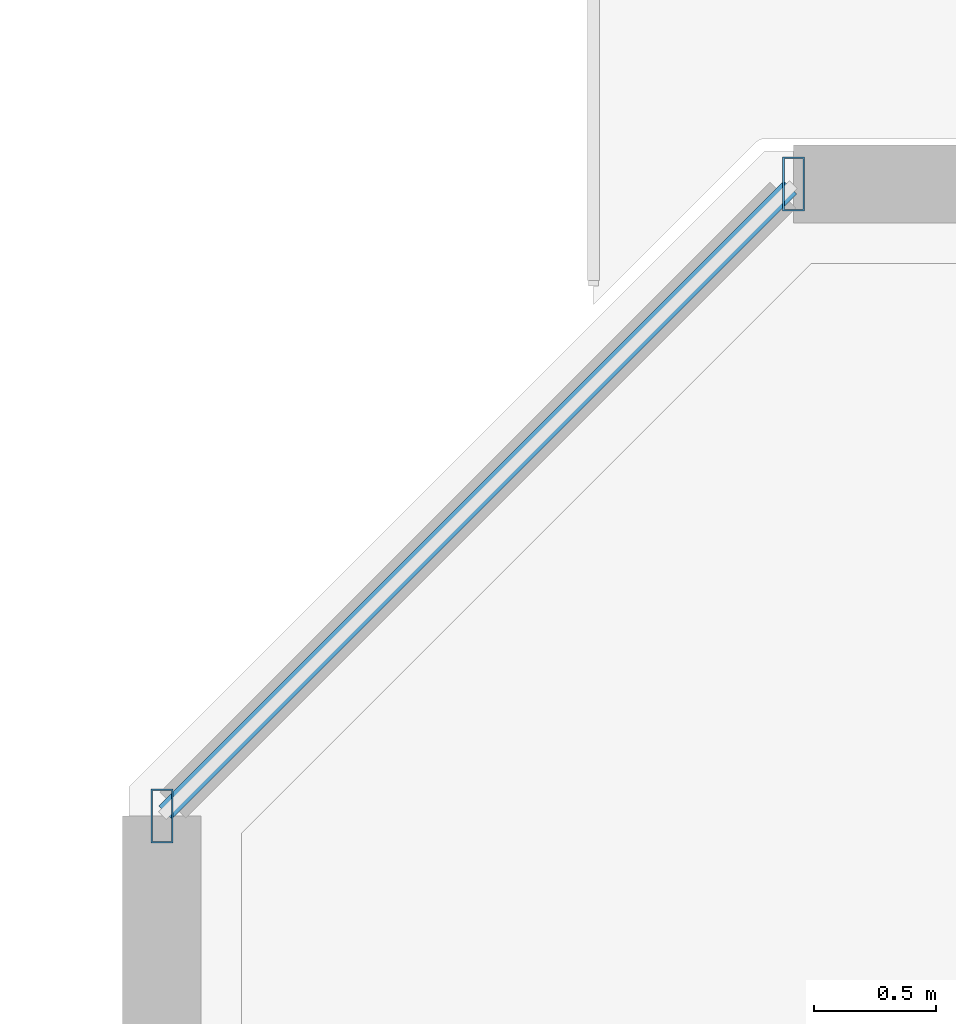
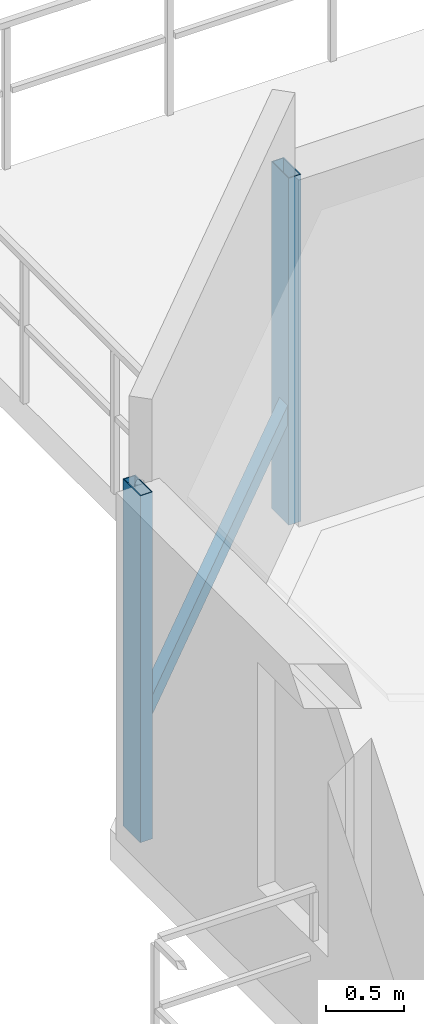
# One storey, part 7 of 34: 3 members, 1 element without a shape of its own.
"""IFC4 building model written with IfcOpenShell, lengths in metres."""

from ifc_helpers import new_model, si_unit, direction, frame, origin, origin_2d, place, context, subcontext, project, spatial, hollow_rectangle, extrude, material, material_profile, profile_set, type_object, element, aggregate, save


model = new_model("IFC4")

# Units and contexts
model_context = context("Model", 3, precision=1e-05, world=origin(), true_north=direction((0.0, 1.0)))
body_context = subcontext(model_context, "Body", "Model", "MODEL_VIEW")
ifc_project = project(units=[si_unit("LENGTHUNIT", "METRE"), si_unit("AREAUNIT", "SQUARE_METRE"), si_unit("VOLUMEUNIT", "CUBIC_METRE"), si_unit("PLANEANGLEUNIT", "RADIAN"), si_unit("MASSUNIT", "GRAM", prefix="KILO")], contexts=[model_context])

# Site, building, storey
site_placement = place(None, origin())
site = spatial("IfcSite", under=ifc_project, at=site_placement, CompositionType="ELEMENT")
building_placement = place(site_placement, origin())
building = spatial("IfcBuilding", under=site, at=building_placement, Name="Thornwick Lancets Civic Towers", CompositionType="ELEMENT")
storey_placement = place(building_placement, frame((0.0, 0.0, 27.89990234375)))
storey = spatial("IfcBuildingStorey", under=building, at=storey_placement, Name="L06", CompositionType="ELEMENT", Elevation=27.89990234375)

# Curtain wall, members
ifc_material_1 = material(Name="Low-zone chamfered-corner unitised glass curtain wall", Category="glass")
curtain_wall_type = type_object("IfcCurtainWallType", Name="CW_SYS_03", PredefinedType="NOTDEFINED", material=ifc_material_1)
curtain_wall_placement = place(storey_placement, origin())
curtain_wall = element("IfcCurtainWall", 1, at=curtain_wall_placement, inside=storey, type_object=curtain_wall_type, Name="L06 Curtain Wall CW-L06-A-E5", PredefinedType="NOTDEFINED")
ifc_material_2 = material(Name="Thermally broken bronze aluminium S355", Category="steel")
ifc_material_profile_1 = material_profile(ifc_material_2, hollow_rectangle(XDim=0.090087890625, YDim=0.219970703125, WallThickness=0.00634765625, at=origin_2d()), Name="RHS 220x90x6.3")
ifc_profile_set_1 = profile_set([ifc_material_profile_1], Name="Thermally broken bronze aluminium S355")
member_type_1 = type_object("IfcMemberType", Name="CW_MUL_220", PredefinedType="MULLION", material=ifc_profile_set_1)
member_1_placement = place(storey_placement, frame((3.81884765625, 45.264892578125, 0.0), z_axis=(0.0, 0.0, 1.0), x_axis=(1.0, 0.0, 0.0)))
member_1 = element("IfcMember", 2, at=member_1_placement, type_object=member_type_1, Name="CW-L06-A-E5 Mullion 0", PredefinedType="MULLION", context=body_context, shape_type="SweptSolid", body=[
    extrude(hollow_rectangle(XDim=0.090087890625, YDim=0.219970703125, WallThickness=0.00634765625, at=origin_2d()), origin(), (0.0, 0.0, 1.0), 2.7001953125),
])
member_2_placement = place(storey_placement, frame((1.235107421875, 42.68115234375, 0.0), z_axis=(0.0, 0.0, 1.0), x_axis=(1.0, 0.0, 0.0)))
member_2 = element("IfcMember", 3, at=member_2_placement, type_object=member_type_1, Name="CW-L06-A-E5 Mullion 1", PredefinedType="MULLION", context=body_context, shape_type="SweptSolid", body=[
    extrude(hollow_rectangle(XDim=0.090087890625, YDim=0.219970703125, WallThickness=0.00634765625, at=origin_2d()), origin(), (0.0, 0.0, 1.0), 2.7001953125),
])
ifc_material_profile_2 = material_profile(ifc_material_2, hollow_rectangle(XDim=0.074951171875, YDim=0.14990234375, WallThickness=0.0048828125, at=origin_2d()), Name="RHS 150x75x5")
ifc_profile_set_2 = profile_set([ifc_material_profile_2], Name="Thermally broken bronze aluminium S355")
member_type_2 = type_object("IfcMemberType", Name="CW_TRN_150", PredefinedType="USERDEFINED", material=ifc_profile_set_2)
member_3_placement = place(storey_placement, frame((3.8046875, 45.250732421875, 0.85009765625), z_axis=(-0.707106781187, -0.707106781187, 0.0), x_axis=(0.707106781187, -0.707106781187, 0.0)))
member_3 = element("IfcMember", 4, at=member_3_placement, type_object=member_type_2, Name="CW-L06-A-E5 Transom 0", ObjectType="TRANSOM", PredefinedType="USERDEFINED", context=body_context, shape_type="SweptSolid", body=[
    extrude(hollow_rectangle(XDim=0.074951171875, YDim=0.14990234375, WallThickness=0.0048828125, at=origin_2d()), origin(), (0.0, 0.0, 1.0), 3.614013671875),
])
aggregate(curtain_wall, [member_1, member_2, member_3])

save(model, "model.ifc")
